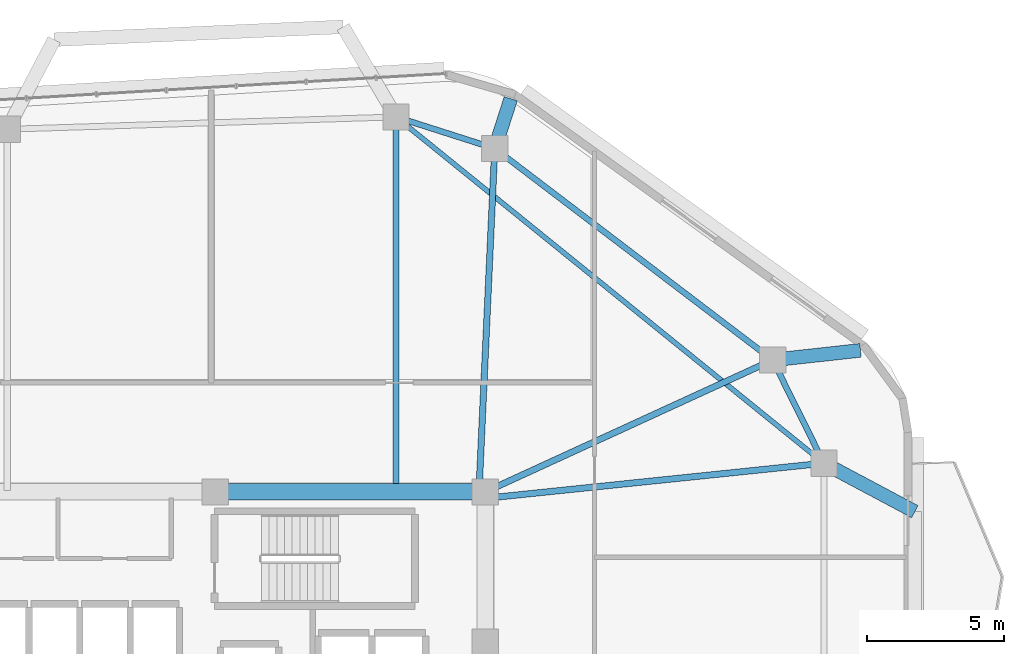
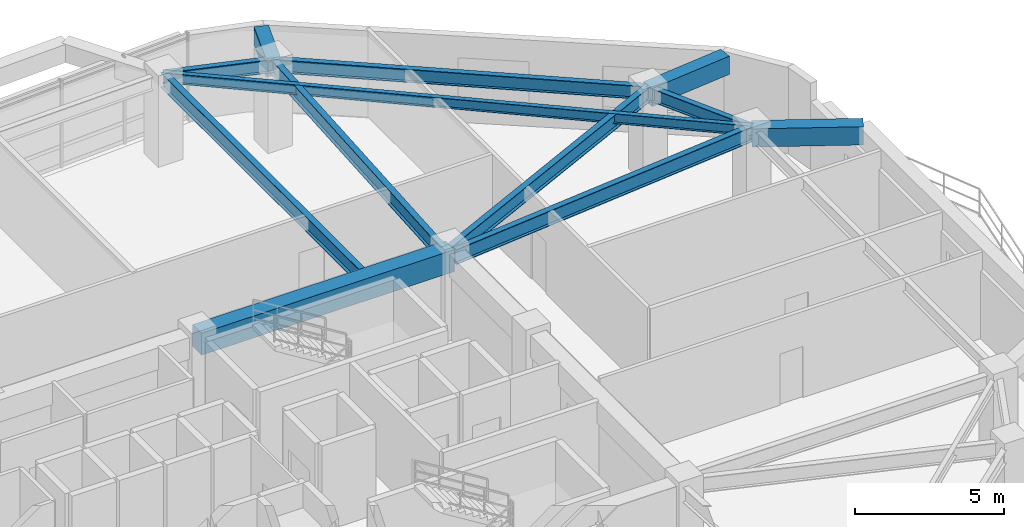
# One storey, part 5 of 15: 12 beams.
"""IFC4 building model written with IfcOpenShell, lengths in metres."""

from ifc_helpers import new_model, si_unit, direction, frame, origin, origin_2d, place, context, subcontext, project, spatial, rectangle, i_section, extrude, material, material_profile, profile_set, type_object, element, save


model = new_model("IFC4")

# Units and contexts
model_context = context("Model", 3, precision=1e-05, world=origin(), true_north=direction((0.0, 1.0)))
body_context = subcontext(model_context, "Body", "Model", "MODEL_VIEW")
ifc_project = project(units=[si_unit("LENGTHUNIT", "METRE"), si_unit("AREAUNIT", "SQUARE_METRE"), si_unit("VOLUMEUNIT", "CUBIC_METRE"), si_unit("PLANEANGLEUNIT", "RADIAN"), si_unit("MASSUNIT", "GRAM", prefix="KILO")], contexts=[model_context])

# Site, building, storey
site_placement = place(None, origin())
site = spatial("IfcSite", under=ifc_project, at=site_placement, CompositionType="ELEMENT")
building_placement = place(site_placement, origin())
building = spatial("IfcBuilding", under=site, at=building_placement, Name="Zulverin Broadcast Headquarters", CompositionType="ELEMENT")
storey_placement = place(building_placement, frame((0.0, 0.0, 193.39990234375)))
storey = spatial("IfcBuildingStorey", under=building, at=storey_placement, Name="L49", CompositionType="ELEMENT", Elevation=193.39990234375)

# Beams
ifc_material_1 = material(Name="Concrete C60/75", Category="concrete")
ifc_material_profile_1 = material_profile(ifc_material_1, rectangle(XDim=0.60009765625, YDim=0.89990234375, at=origin_2d()), Name="Concrete C60/75", Category="concrete")
ifc_profile_set_1 = profile_set([ifc_material_profile_1], Name="Concrete C60/75")
beam_type_1 = type_object("IfcBeamType", Name="BM-CB-600x900", PredefinedType="LINTEL", material=ifc_profile_set_1)
beam_1_placement = place(storey_placement, frame((48.27490234375, 33.074951171875, 3.090087890625), z_axis=(-1.0, 0.0, 0.0), x_axis=(0.0, -1.0, 0.0)))
element("IfcBeam", 1, at=beam_1_placement, inside=storey, type_object=beam_type_1, Name="L49 Core Coupling Girder K05-K06", PredefinedType="LINTEL", context=body_context, shape_type="SweptSolid", body=[
    extrude(rectangle(XDim=0.60009765625, YDim=0.89990234375, at=origin_2d()), origin(), (0.0, 0.0, 1.0), 9.824951171875),
])
ifc_material_2 = material(Name="Concrete C40/50", Category="concrete")
ifc_material_profile_2 = material_profile(ifc_material_2, rectangle(XDim=0.5, YDim=0.75, at=origin_2d()), Name="Concrete C40/50", Category="concrete")
ifc_profile_set_2 = profile_set([ifc_material_profile_2], Name="Concrete C40/50")
beam_type_2 = type_object("IfcBeamType", Name="BM-RC-500x750", PredefinedType="BEAM", material=ifc_profile_set_2)
beam_2_placement = place(storey_placement, frame((58.738037109375, 37.877685546875, 3.1650390625), z_axis=(0.994004521098, 0.109338977669, 0.0), x_axis=(-0.109338977669, 0.994004521098, 0.0)))
element("IfcBeam", 2, at=beam_2_placement, inside=storey, type_object=beam_type_2, Name="L50 Plate Overhang Back-Spanned Beam OVR-07", PredefinedType="BEAM", context=body_context, shape_type="SweptSolid", body=[
    extrude(rectangle(XDim=0.5, YDim=0.75, at=origin_2d()), origin(), (0.0, 0.0, 1.0), 3.213134765625),
])
beam_3_placement = place(storey_placement, frame((48.62158203125, 45.574951171875, 3.1650390625), z_axis=(0.306395409062, 0.951904329912, 0.0), x_axis=(-0.951904329912, 0.306395409062, 0.0)))
element("IfcBeam", 3, at=beam_3_placement, inside=storey, type_object=beam_type_2, Name="L50 Plate Overhang Back-Spanned Beam OVR-08", PredefinedType="BEAM", context=body_context, shape_type="SweptSolid", body=[
    extrude(rectangle(XDim=0.5, YDim=0.75, at=origin_2d()), origin(), (0.0, 0.0, 1.0), 1.90283203125),
])
beam_4_placement = place(storey_placement, frame((60.60009765625, 34.12158203125, 3.1650390625), z_axis=(0.882538495397, -0.470240155817, 0.0), x_axis=(0.470240155817, 0.882538495397, 0.0)))
element("IfcBeam", 4, at=beam_4_placement, inside=storey, type_object=beam_type_2, Name="L50 Balcony Column-Framed Cantilever BAL_E-2", PredefinedType="BEAM", context=body_context, shape_type="SweptSolid", body=[
    extrude(rectangle(XDim=0.5, YDim=0.75, at=origin_2d()), origin(), (0.0, 0.0, 1.0), 3.75),
])
ifc_material_3 = material(Name="Structural steel S355JR", Category="steel")
ifc_material_profile_3 = material_profile(ifc_material_3, i_section(OverallWidth=0.179443359375, OverallDepth=0.412841796875, WebThickness=0.009521484375, FlangeThickness=0.01611328125, at=origin_2d()), Name="Structural steel S355JR", Category="steel")
ifc_profile_set_3 = profile_set([ifc_material_profile_3], Name="Structural steel S355JR")
beam_type_3 = type_object("IfcBeamType", Name="BM-UB-406", PredefinedType="JOIST", material=ifc_profile_set_3)
beam_5_placement = place(storey_placement, frame((60.60009765625, 34.12158203125, 3.333740234375), z_axis=(-0.777349017335, 0.629069555175, 0.0), x_axis=(-0.629069555175, -0.777349017335, 0.0)))
element("IfcBeam", 5, at=beam_5_placement, inside=storey, type_object=beam_type_3, Name="L49 Chordal Floor Joist J-02", PredefinedType="JOIST", context=body_context, shape_type="SweptSolid", body=[
    extrude(i_section(OverallWidth=0.179443359375, OverallDepth=0.412841796875, WebThickness=0.009521484375, FlangeThickness=0.01611328125, at=origin_2d()), origin(), (0.0, 0.0, 1.0), 20.032958984375),
])
ifc_material_profile_4 = material_profile(ifc_material_3, i_section(OverallWidth=0.2119140625, OverallDepth=0.54443359375, WebThickness=0.0126953125, FlangeThickness=0.021240234375, at=origin_2d()), Name="Structural steel S355JR", Category="steel")
ifc_profile_set_4 = profile_set([ifc_material_profile_4], Name="Structural steel S355JR")
beam_type_4 = type_object("IfcBeamType", Name="BM-UB-533", PredefinedType="SPANDREL", material=ifc_profile_set_4)
beam_6_placement = place(storey_placement, frame((60.60009765625, 34.12158203125, 3.267822265625), z_axis=(-0.444159471033, 0.895947746407, 0.0), x_axis=(-0.895947746407, -0.444159471033, 0.0)))
element("IfcBeam", 6, at=beam_6_placement, inside=storey, type_object=beam_type_4, Name="L49 Perimeter Spandrel Beam SP-06", PredefinedType="SPANDREL", context=body_context, shape_type="SweptSolid", body=[
    extrude(i_section(OverallWidth=0.2119140625, OverallDepth=0.54443359375, WebThickness=0.0126953125, FlangeThickness=0.021240234375, at=origin_2d()), origin(), (0.0, 0.0, 1.0), 4.1923828125),
])
beam_7_placement = place(storey_placement, frame((58.738037109375, 37.877685546875, 3.267822265625), z_axis=(-0.795830102505, 0.60551998146, 0.0), x_axis=(-0.60551998146, -0.795830102505, 0.0)))
element("IfcBeam", 7, at=beam_7_placement, inside=storey, type_object=beam_type_4, Name="L49 Perimeter Spandrel Beam SP-07", PredefinedType="SPANDREL", context=body_context, shape_type="SweptSolid", body=[
    extrude(i_section(OverallWidth=0.2119140625, OverallDepth=0.54443359375, WebThickness=0.0126953125, FlangeThickness=0.021240234375, at=origin_2d()), origin(), (0.0, 0.0, 1.0), 12.7119140625),
])
beam_8_placement = place(storey_placement, frame((48.62158203125, 45.574951171875, 3.267822265625), z_axis=(-0.952531523781, 0.304439971428, 0.0), x_axis=(-0.304439971428, -0.952531523781, 0.0)))
element("IfcBeam", 8, at=beam_8_placement, inside=storey, type_object=beam_type_4, Name="L49 Perimeter Spandrel Beam SP-08", PredefinedType="SPANDREL", context=body_context, shape_type="SweptSolid", body=[
    extrude(i_section(OverallWidth=0.2119140625, OverallDepth=0.54443359375, WebThickness=0.0126953125, FlangeThickness=0.021240234375, at=origin_2d()), origin(), (0.0, 0.0, 1.0), 3.773193359375),
])
ifc_material_profile_5 = material_profile(ifc_material_3, i_section(OverallWidth=0.230224609375, OverallDepth=0.6171875, WebThickness=0.01318359375, FlangeThickness=0.022216796875, at=origin_2d()), Name="Structural steel S355JR", Category="steel")
ifc_profile_set_5 = profile_set([ifc_material_profile_5], Name="Structural steel S355JR")
beam_type_5 = type_object("IfcBeamType", Name="BM-UB-610", PredefinedType="BEAM", material=ifc_profile_set_5)
beam_9_placement = place(storey_placement, frame((48.324951171875, 32.85009765625, 3.2314453125), z_axis=(0.994678169641, 0.103030766473, 0.0), x_axis=(-0.103030766473, 0.994678169641, 0.0)))
element("IfcBeam", 9, at=beam_9_placement, inside=storey, type_object=beam_type_5, Name="L49 Radial Primary Floor Beam RB-06", PredefinedType="BEAM", context=body_context, shape_type="SweptSolid", body=[
    extrude(i_section(OverallWidth=0.230224609375, OverallDepth=0.6171875, WebThickness=0.01318359375, FlangeThickness=0.022216796875, at=origin_2d()), origin(), (0.0, 0.0, 1.0), 12.3408203125),
])
beam_10_placement = place(storey_placement, frame((48.27490234375, 33.074951171875, 3.2314453125), z_axis=(0.90883007293, 0.417166511764, 0.0), x_axis=(-0.417166511764, 0.90883007293, 0.0)))
element("IfcBeam", 10, at=beam_10_placement, inside=storey, type_object=beam_type_5, Name="L49 Radial Primary Floor Beam RB-07", PredefinedType="BEAM", context=body_context, shape_type="SweptSolid", body=[
    extrude(i_section(OverallWidth=0.230224609375, OverallDepth=0.6171875, WebThickness=0.01318359375, FlangeThickness=0.022216796875, at=origin_2d()), origin(), (0.0, 0.0, 1.0), 11.5126953125),
])
beam_11_placement = place(storey_placement, frame((48.050048828125, 33.125, 3.2314453125), z_axis=(0.045858166026, 0.998947960911, 0.0), x_axis=(-0.998947960911, 0.045858166026, 0.0)))
element("IfcBeam", 11, at=beam_11_placement, inside=storey, type_object=beam_type_5, Name="L49 Radial Primary Floor Beam RB-08", PredefinedType="BEAM", context=body_context, shape_type="SweptSolid", body=[
    extrude(i_section(OverallWidth=0.230224609375, OverallDepth=0.6171875, WebThickness=0.01318359375, FlangeThickness=0.022216796875, at=origin_2d()), origin(), (0.0, 0.0, 1.0), 12.463134765625),
])
beam_12_placement = place(storey_placement, frame((45.027587890625, 33.125, 3.2314453125), z_axis=(0.0, 1.0, 0.0), x_axis=(-1.0, 0.0, 0.0)))
element("IfcBeam", 12, at=beam_12_placement, inside=storey, type_object=beam_type_5, Name="L49 Radial Primary Floor Beam RB-09", PredefinedType="BEAM", context=body_context, shape_type="SweptSolid", body=[
    extrude(i_section(OverallWidth=0.230224609375, OverallDepth=0.6171875, WebThickness=0.01318359375, FlangeThickness=0.022216796875, at=origin_2d()), origin(), (0.0, 0.0, 1.0), 13.5986328125),
])

save(model, "model.ifc")
